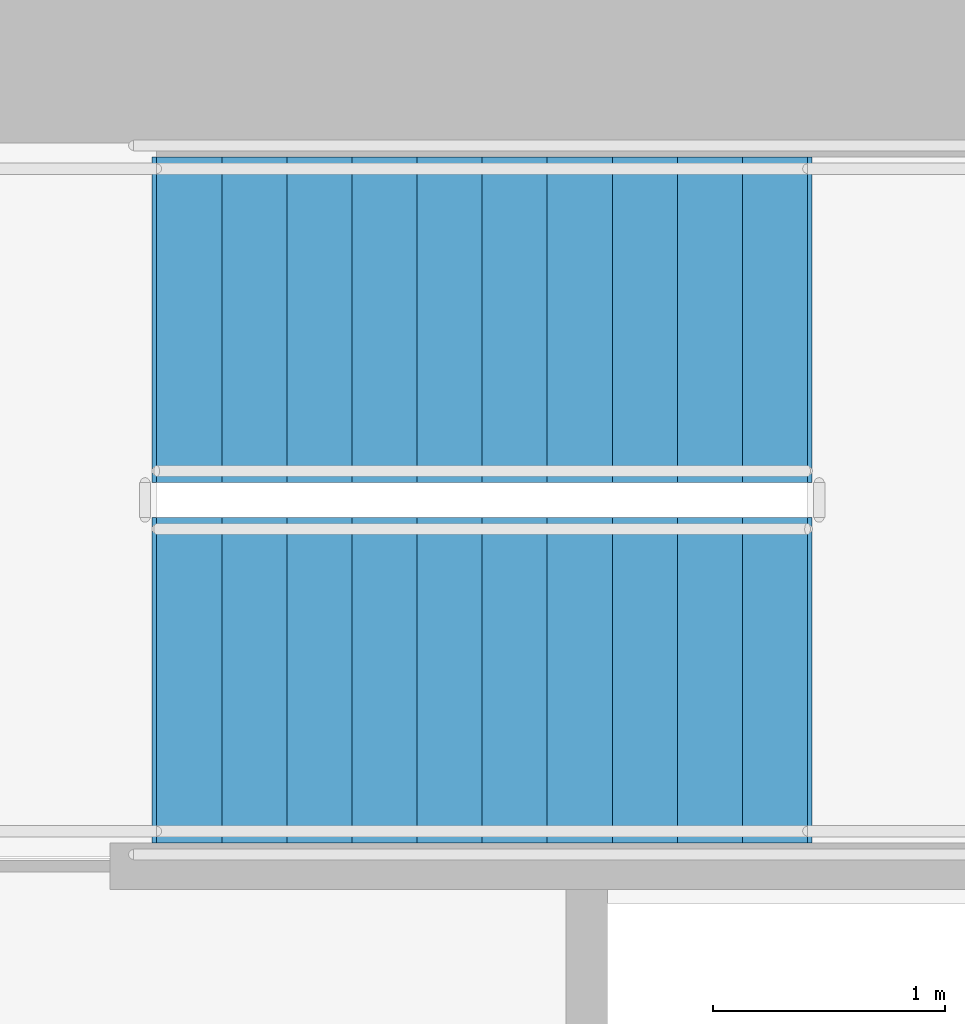
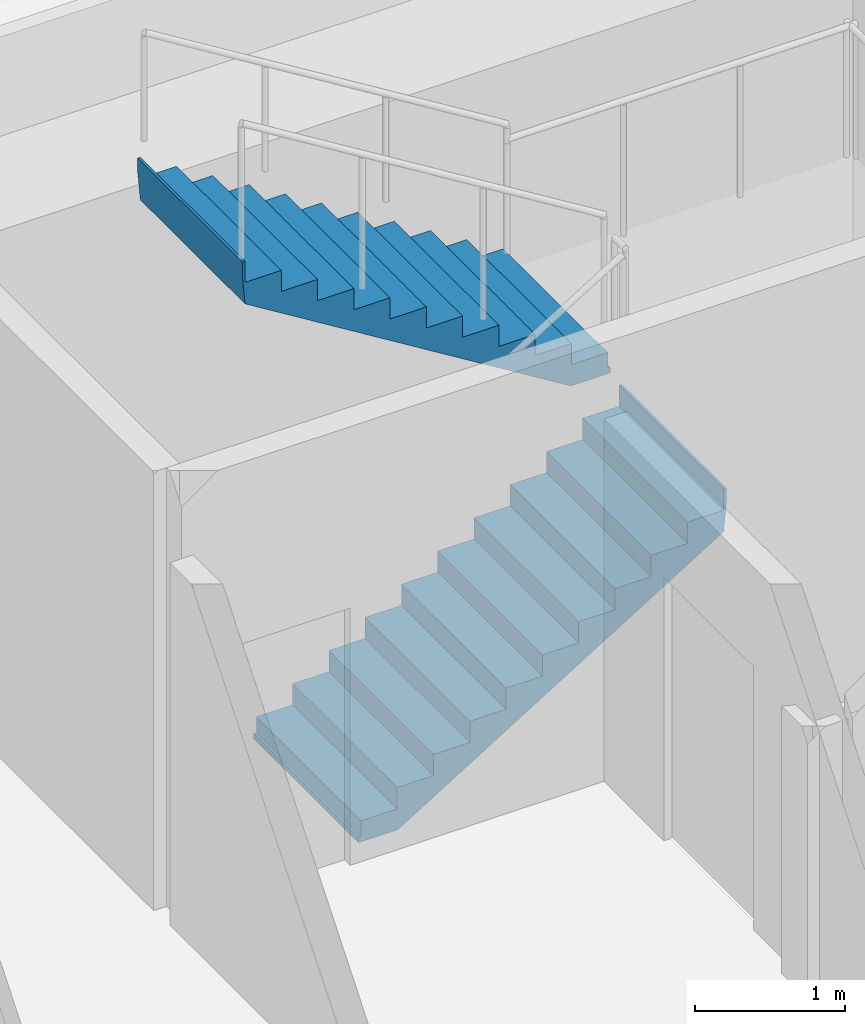
# One storey, part 10 of 16: 2 stair flights, 1 element without a shape of its own.
"""IFC4 building model written with IfcOpenShell, lengths in metres."""

from ifc_helpers import new_model, si_unit, direction, frame, origin, place, context, subcontext, project, spatial, polyline, outline, extrude, material, type_object, element, aggregate, save


model = new_model("IFC4")

# Units and contexts
model_context = context("Model", 3, precision=1e-05, world=origin(), true_north=direction((0.0, 1.0)))
body_context = subcontext(model_context, "Body", "Model", "MODEL_VIEW")
ifc_project = project(units=[si_unit("LENGTHUNIT", "METRE"), si_unit("AREAUNIT", "SQUARE_METRE"), si_unit("VOLUMEUNIT", "CUBIC_METRE"), si_unit("PLANEANGLEUNIT", "RADIAN"), si_unit("MASSUNIT", "GRAM", prefix="KILO")], contexts=[model_context])

# Site, building, storey
site_placement = place(None, origin())
site = spatial("IfcSite", under=ifc_project, at=site_placement, CompositionType="ELEMENT")
building_placement = place(site_placement, origin())
building = spatial("IfcBuilding", under=site, at=building_placement, Name="Valkerne Bourse Tower", CompositionType="ELEMENT")
storey_placement = place(building_placement, frame((0.0, 0.0, 89.60009765625)))
storey = spatial("IfcBuildingStorey", under=building, at=storey_placement, Name="L22", CompositionType="ELEMENT", Elevation=89.60009765625)

# Stair, stair flights
ifc_material = material(Name="Concrete C40/50", Category="concrete")
stair_type = type_object("IfcStairType", Name="ST-CORE-1400", PredefinedType="HALF_TURN_STAIR", material=ifc_material)
stair_placement = place(storey_placement, origin())
stair = element("IfcStair", 1, at=stair_placement, inside=storey, type_object=stair_type, Name="L22 ST-2", PredefinedType="HALF_TURN_STAIR")
stair_flight_type = type_object("IfcStairFlightType", Name="STF-CORE-1400", PredefinedType="STRAIGHT", material=ifc_material)
stair_flight_1_placement = place(storey_placement, frame((48.14990234375, 32.89990234375, 0.0), z_axis=(0.0, 0.0, 1.0), x_axis=(1.0, 0.0, 0.0)))
stair_flight_1 = element("IfcStairFlight", 2, at=stair_flight_1_placement, type_object=stair_flight_type, Name="ST-2 flight 1", NumberOfRisers=11, NumberOfTreads=10, PredefinedType="STRAIGHT", RiserHeight=0.172727273, TreadLength=0.28, context=body_context, shape_type="SweptSolid", body=[
    extrude(outline(polyline([(-0.02001953125, 0.0), (-0.02001953125, 0.044921875), (0.0, 0.044921875), (0.0, 0.172607421875), (0.280029296875, 0.172607421875), (0.280029296875, 0.345458984375), (0.56005859375, 0.345458984375), (0.56005859375, 0.51806640625), (0.840087890625, 0.51806640625), (0.840087890625, 0.69091796875), (1.1201171875, 0.69091796875), (1.1201171875, 0.863525390625), (1.39990234375, 0.863525390625), (1.39990234375, 1.036376953125), (1.679931640625, 1.036376953125), (1.679931640625, 1.208984375), (1.9599609375, 1.208984375), (1.9599609375, 1.3818359375), (2.239990234375, 1.3818359375), (2.239990234375, 1.554443359375), (2.52001953125, 1.554443359375), (2.52001953125, 1.727294921875), (2.800048828125, 1.727294921875), (2.800048828125, 1.89990234375), (2.820068359375, 1.89990234375), (2.820068359375, 1.780029296875), (2.800048828125, 1.551025390625), (0.285400390625, 0.0), (-0.02001953125, 0.0)])), frame((0.0, 0.699951171875, 0.0), z_axis=(0.0, -1.0, 0.0), x_axis=(1.0, 0.0, 0.0)), (0.0, 0.0, 1.0), 1.39990234375),
])
stair_flight_2_placement = place(storey_placement, frame((50.949951171875, 34.449951171875, 1.89990234375), z_axis=(0.0, 0.0, 1.0), x_axis=(-1.0, 0.0, 0.0)))
stair_flight_2 = element("IfcStairFlight", 3, at=stair_flight_2_placement, type_object=stair_flight_type, Name="ST-2 flight 2", NumberOfRisers=11, NumberOfTreads=10, PredefinedType="STRAIGHT", RiserHeight=0.172727273, TreadLength=0.28, context=body_context, shape_type="SweptSolid", body=[
    extrude(outline(polyline([(-0.02001953125, 0.0), (-0.02001953125, 0.044921875), (0.0, 0.044921875), (0.0, 0.172607421875), (0.280029296875, 0.172607421875), (0.280029296875, 0.345458984375), (0.56005859375, 0.345458984375), (0.56005859375, 0.51806640625), (0.840087890625, 0.51806640625), (0.840087890625, 0.69091796875), (1.1201171875, 0.69091796875), (1.1201171875, 0.863525390625), (1.39990234375, 0.863525390625), (1.39990234375, 1.036376953125), (1.679931640625, 1.036376953125), (1.679931640625, 1.208984375), (1.9599609375, 1.208984375), (1.9599609375, 1.3818359375), (2.239990234375, 1.3818359375), (2.239990234375, 1.554443359375), (2.52001953125, 1.554443359375), (2.52001953125, 1.727294921875), (2.800048828125, 1.727294921875), (2.800048828125, 1.89990234375), (2.820068359375, 1.89990234375), (2.820068359375, 1.780029296875), (2.800048828125, 1.551025390625), (0.285400390625, 0.0), (-0.02001953125, 0.0)])), frame((0.0, 0.699951171875, 0.0), z_axis=(0.0, -1.0, 0.0), x_axis=(1.0, 0.0, 0.0)), (0.0, 0.0, 1.0), 1.39990234375),
])
aggregate(stair, [stair_flight_1, stair_flight_2])

save(model, "model.ifc")
